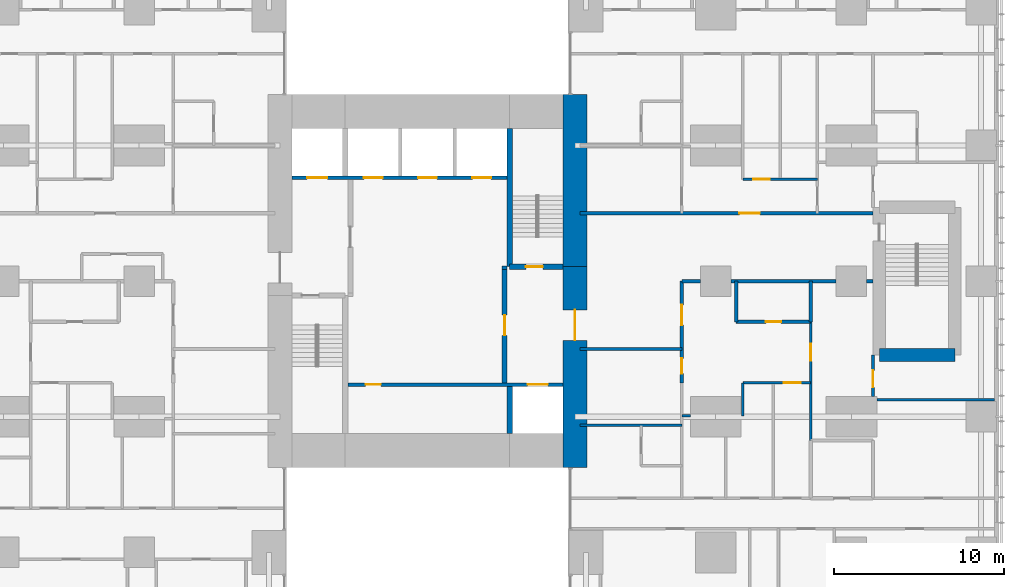
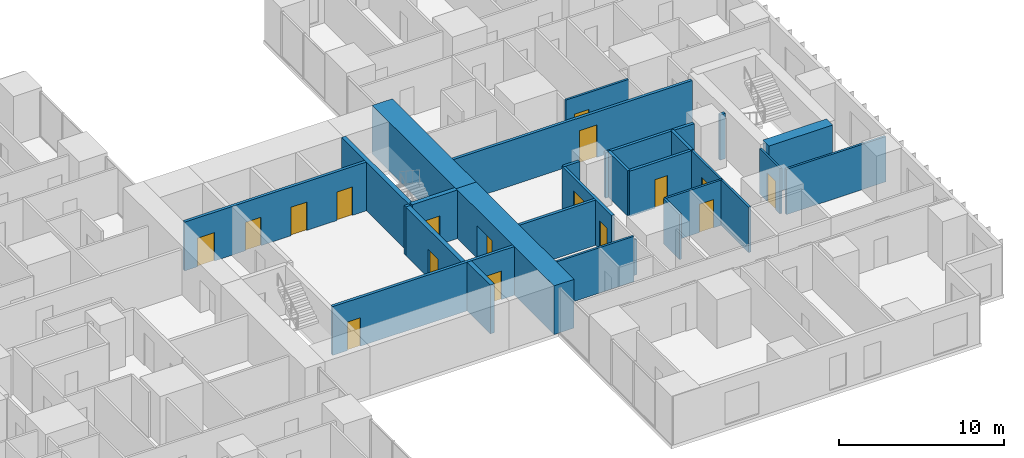
# One storey, part 15 of 20: 27 walls, 17 doors, 17 openings.
"""IFC4 building model written with IfcOpenShell, lengths in metres."""

from ifc_helpers import new_model, si_unit, direction, frame, frame_2d, origin, place, context, subcontext, project, spatial, rectangle, extrude, material, layer, layer_set, type_object, element, fill, save


model = new_model("IFC4")

# Units and contexts
model_context = context("Model", 3, precision=1e-05, world=origin(), true_north=direction((0.0, 1.0)))
body_context = subcontext(model_context, "Body", "Model", "MODEL_VIEW")
ifc_project = project(units=[si_unit("LENGTHUNIT", "METRE"), si_unit("AREAUNIT", "SQUARE_METRE"), si_unit("VOLUMEUNIT", "CUBIC_METRE"), si_unit("PLANEANGLEUNIT", "RADIAN"), si_unit("MASSUNIT", "GRAM", prefix="KILO")], contexts=[model_context])

# Site, building, storey
site_placement = place(None, origin())
site = spatial("IfcSite", under=ifc_project, at=site_placement, CompositionType="ELEMENT")
building_placement = place(site_placement, origin())
building = spatial("IfcBuilding", under=site, at=building_placement, Name="Cleftline Residences", CompositionType="ELEMENT")
storey_placement = place(building_placement, frame((0.0, 0.0, 189.39990234375)))
storey = spatial("IfcBuildingStorey", under=building, at=storey_placement, Name="L49", CompositionType="ELEMENT", Elevation=189.39990234375)

# Wall, opening, door
ifc_material_1 = material(Name="Concrete B70", Category="concrete")
ifc_layer_1 = layer(ifc_material_1, 1.39990234375)
ifc_layer_set_1 = layer_set([ifc_layer_1], Name="CORE WALL 1400")
wall_type_1 = type_object("IfcWallType", Name="CORE WALL 1400", PredefinedType="SHEAR", material=ifc_layer_set_1)
wall_1_placement = place(storey_placement, frame((41.699951171875, 13.0, 0.0), z_axis=(0.0, 0.0, 1.0), x_axis=(0.0, 1.0, 0.0)))
wall_1 = element("IfcWall", 1, at=wall_1_placement, inside=storey, type_object=wall_type_1, Name="Core wall E", PredefinedType="SHEAR", context=body_context, shape_type="SweptSolid", body=[
    extrude(rectangle(XDim=11.85009765625, YDim=1.39990234375, at=frame_2d((5.925048828125, 0.0))), origin(), (0.0, 0.0, 1.0), 3.60009765625),
])
opening_1_placement = place(wall_1_placement, frame((7.5, 0.0, 0.0)))
opening_1 = element("IfcOpeningElement", 2, at=opening_1_placement, cuts=wall_1, Name="Opening D7", PredefinedType="OPENING", context=body_context, shape_type="SweptSolid", body=[
    extrude(rectangle(XDim=1.800048828125, YDim=2.39990234375, at=frame_2d((0.89990234375, 1.199951171875))), frame((0.0, 0.7099609375, 0.0), z_axis=(0.0, -1.0, 0.0), x_axis=(1.0, 0.0, 0.0)), (0.0, 0.0, 1.0), 1.419921875),
])
ifc_material_2 = material(Name="Steel", Category="steel")
door_type_1 = type_object("IfcDoorType", Name="WING DOOR 1800X2400", OperationType="DOUBLE_DOOR_DOUBLE_SWING", PredefinedType="DOOR", material=ifc_material_2)
door_1_placement = place(opening_1_placement, origin())
door_1 = element("IfcDoor", 3, at=door_1_placement, inside=storey, type_object=door_type_1, Name="East wing door", OperationType="DOUBLE_DOOR_DOUBLE_SWING", OverallHeight=2.39990234375, OverallWidth=1.800048828125, PredefinedType="DOOR", context=body_context, shape_type="SweptSolid", body=[
    extrude(rectangle(XDim=1.800048828125, YDim=2.39990234375, at=frame_2d((0.89990234375, 1.199951171875))), frame((0.0, 0.02490234375, 0.0), z_axis=(0.0, -1.0, 0.0), x_axis=(1.0, 0.0, 0.0)), (0.0, 0.0, 1.0), 0.050048828125),
])
fill(opening_1, door_1)

# Walls
wall_2_placement = place(storey_placement, frame((41.699951171875, 24.85009765625, 0.0), z_axis=(0.0, 0.0, 1.0), x_axis=(0.0, 1.0, 0.0)))
element("IfcWall", 4, at=wall_2_placement, inside=storey, type_object=wall_type_1, Name="Core wall E1", PredefinedType="SHEAR", context=body_context, shape_type="SweptSolid", body=[
    extrude(rectangle(XDim=10.14990234375, YDim=1.39990234375, at=frame_2d((5.074951171875, 0.0))), origin(), (0.0, 0.0, 1.0), 3.60009765625),
])
ifc_material_3 = material(Name="Concrete B70", Category="concrete")
ifc_layer_2 = layer(ifc_material_3, 0.300048828125)
ifc_layer_set_2 = layer_set([ifc_layer_2], Name="CORE WALL 300")
wall_type_2 = type_object("IfcWallType", Name="CORE WALL 300", PredefinedType="SHEAR", material=ifc_layer_set_2)
wall_3_placement = place(storey_placement, frame((37.85009765625, 24.85009765625, 0.0), z_axis=(0.0, 0.0, 1.0), x_axis=(0.0, 1.0, 0.0)))
element("IfcWall", 5, at=wall_3_placement, inside=storey, type_object=wall_type_2, Name="Core wall SB-W", PredefinedType="SHEAR", context=body_context, shape_type="SweptSolid", body=[
    extrude(rectangle(XDim=8.14990234375, YDim=0.300048828125, at=frame_2d((4.074951171875, 0.0))), origin(), (0.0, 0.0, 1.0), 3.60009765625),
])

# Wall, opening, door
wall_4_placement = place(storey_placement, frame((37.85009765625, 24.85009765625, 0.0), z_axis=(0.0, 0.0, 1.0), x_axis=(1.0, 0.0, 0.0)))
wall_4 = element("IfcWall", 6, at=wall_4_placement, inside=storey, type_object=wall_type_2, Name="Core wall SB-S", PredefinedType="SHEAR", context=body_context, shape_type="SweptSolid", body=[
    extrude(rectangle(XDim=3.14990234375, YDim=0.300048828125, at=frame_2d((1.574951171875, 0.0))), origin(), (0.0, 0.0, 1.0), 3.60009765625),
])
opening_2_placement = place(wall_4_placement, frame((0.949951171875, 0.0, 0.0)))
opening_2 = element("IfcOpeningElement", 7, at=opening_2_placement, cuts=wall_4, Name="Opening D5", PredefinedType="OPENING", context=body_context, shape_type="SweptSolid", body=[
    extrude(rectangle(XDim=1.0, YDim=2.10009765625, at=frame_2d((0.5, 1.050048828125))), frame((0.0, 0.159912109375, 0.0), z_axis=(0.0, -1.0, 0.0), x_axis=(1.0, 0.0, 0.0)), (0.0, 0.0, 1.0), 0.320068359375),
])
ifc_material_4 = material(Name="Steel", Category="steel")
door_type_2 = type_object("IfcDoorType", Name="STAIR DOOR 1000X2100", OperationType="SINGLE_SWING_LEFT", PredefinedType="DOOR", material=ifc_material_4)
door_2_placement = place(opening_2_placement, origin())
door_2 = element("IfcDoor", 8, at=door_2_placement, inside=storey, type_object=door_type_2, Name="Stair B door", OperationType="SINGLE_SWING_RIGHT", OverallHeight=2.10009765625, OverallWidth=1.0, PredefinedType="DOOR", context=body_context, shape_type="SweptSolid", body=[
    extrude(rectangle(XDim=1.0, YDim=2.10009765625, at=frame_2d((0.5, 1.050048828125))), frame((0.0, 0.02490234375, 0.0), z_axis=(0.0, -1.0, 0.0), x_axis=(1.0, 0.0, 0.0)), (0.0, 0.0, 1.0), 0.050048828125),
])
fill(opening_2, door_2)

# Walls
wall_5_placement = place(storey_placement, frame((37.85009765625, 15.0, 0.0), z_axis=(0.0, 0.0, 1.0), x_axis=(0.0, 1.0, 0.0)))
element("IfcWall", 9, at=wall_5_placement, inside=storey, type_object=wall_type_2, Name="Lift shaft wall", PredefinedType="SHEAR", context=body_context, shape_type="SweptSolid", body=[
    extrude(rectangle(XDim=2.800048828125, YDim=0.300048828125, at=frame_2d((1.39990234375, 0.0))), origin(), (0.0, 0.0, 1.0), 3.60009765625),
])
ifc_material_5 = material(Name="Concrete blockwork, fire rated", Category="masonry")
ifc_layer_3 = layer(ifc_material_5, 0.199951171875)
ifc_layer_set_3 = layer_set([ifc_layer_3], Name="FIRE WALL 200")
wall_type_3 = type_object("IfcWallType", Name="FIRE WALL 200", PredefinedType="PARTITIONING", material=ifc_layer_set_3)
wall_6_placement = place(storey_placement, frame((42.0, 20.0, 0.0), z_axis=(0.0, 0.0, 1.0), x_axis=(1.0, 0.0, 0.0)))
element("IfcWall", 10, at=wall_6_placement, inside=storey, type_object=wall_type_3, Name="Fire separating wall", PredefinedType="PARTITIONING", context=body_context, shape_type="SweptSolid", body=[
    extrude(rectangle(XDim=6.0, YDim=0.199951171875, at=frame_2d((3.0, 0.0))), origin(), (0.0, 0.0, 1.0), 3.35009765625),
])

# Wall, opening, door
wall_7_placement = place(storey_placement, frame((51.199951171875, 21.60009765625, 0.0), z_axis=(0.0, 0.0, 1.0), x_axis=(1.0, 0.0, 0.0)))
wall_7 = element("IfcWall", 11, at=wall_7_placement, inside=storey, type_object=wall_type_3, Name="Fire separating wall", PredefinedType="PARTITIONING", context=body_context, shape_type="SweptSolid", body=[
    extrude(rectangle(XDim=4.400146484375, YDim=0.199951171875, at=frame_2d((2.2001953125, 0.0))), origin(), (0.0, 0.0, 1.0), 3.35009765625),
])
opening_3_placement = place(wall_7_placement, frame((1.75, 0.0, 0.0)))
opening_3 = element("IfcOpeningElement", 12, at=opening_3_placement, cuts=wall_7, Name="Opening D1F30", PredefinedType="OPENING", context=body_context, shape_type="SweptSolid", body=[
    extrude(rectangle(XDim=0.89990234375, YDim=2.10009765625, at=frame_2d((0.449951171875, 1.050048828125))), frame((0.0, 0.10986328125, 0.0), z_axis=(0.0, -1.0, 0.0), x_axis=(1.0, 0.0, 0.0)), (0.0, 0.0, 1.0), 0.219970703125),
])
ifc_material_6 = material(Name="Timber veneer on solid core", Category="wood")
door_type_3 = type_object("IfcDoorType", Name="DOOR 900X2100 EI 30", OperationType="SINGLE_SWING_LEFT", PredefinedType="DOOR", material=ifc_material_6)
door_3_placement = place(opening_3_placement, origin())
door_3 = element("IfcDoor", 13, at=door_3_placement, inside=storey, type_object=door_type_3, Name="Door to cloakroom wc", OperationType="SINGLE_SWING_LEFT", OverallHeight=2.10009765625, OverallWidth=0.89990234375, PredefinedType="DOOR", context=body_context, shape_type="SweptSolid", body=[
    extrude(rectangle(XDim=0.89990234375, YDim=2.10009765625, at=frame_2d((0.449951171875, 1.050048828125))), frame((0.0, 0.02490234375, 0.0), z_axis=(0.0, -1.0, 0.0), x_axis=(1.0, 0.0, 0.0)), (0.0, 0.0, 1.0), 0.050048828125),
])
fill(opening_3, door_3)

# Walls
wall_8_placement = place(storey_placement, frame((48.0, 24.0, 0.0), z_axis=(0.0, 0.0, 1.0), x_axis=(1.0, 0.0, 0.0)))
element("IfcWall", 14, at=wall_8_placement, inside=storey, type_object=wall_type_3, Name="Fire separating wall", PredefinedType="PARTITIONING", context=body_context, shape_type="SweptSolid", body=[
    extrude(rectangle(XDim=1.10009765625, YDim=0.199951171875, at=frame_2d((0.550048828125, 0.0))), origin(), (0.0, 0.0, 1.0), 3.35009765625),
])
wall_9_placement = place(storey_placement, frame((50.89990234375, 24.0, 0.0), z_axis=(0.0, 0.0, 1.0), x_axis=(1.0, 0.0, 0.0)))
element("IfcWall", 15, at=wall_9_placement, inside=storey, type_object=wall_type_3, Name="Fire separating wall", PredefinedType="PARTITIONING", context=body_context, shape_type="SweptSolid", body=[
    extrude(rectangle(XDim=6.2001953125, YDim=0.199951171875, at=frame_2d((3.10009765625, 0.0))), origin(), (0.0, 0.0, 1.0), 3.35009765625),
])
wall_10_placement = place(storey_placement, frame((58.89990234375, 24.0, 0.0), z_axis=(0.0, 0.0, 1.0), x_axis=(1.0, 0.0, 0.0)))
element("IfcWall", 16, at=wall_10_placement, inside=storey, type_object=wall_type_3, Name="Fire separating wall", PredefinedType="PARTITIONING", context=body_context, shape_type="SweptSolid", body=[
    extrude(rectangle(XDim=0.375, YDim=0.199951171875, at=frame_2d((0.1875, 0.0))), origin(), (0.0, 0.0, 1.0), 3.35009765625),
])

# Wall, opening, door
wall_11_placement = place(storey_placement, frame((42.0, 28.0, 0.0), z_axis=(0.0, 0.0, 1.0), x_axis=(1.0, 0.0, 0.0)))
wall_11 = element("IfcWall", 17, at=wall_11_placement, inside=storey, type_object=wall_type_3, Name="Fire separating wall", PredefinedType="PARTITIONING", context=body_context, shape_type="SweptSolid", body=[
    extrude(rectangle(XDim=17.27490234375, YDim=0.199951171875, at=frame_2d((8.637451171875, 0.0))), origin(), (0.0, 0.0, 1.0), 3.35009765625),
])
opening_4_placement = place(wall_11_placement, frame((9.39990234375, 0.0, 0.0)))
opening_4 = element("IfcOpeningElement", 18, at=opening_4_placement, cuts=wall_11, Name="Opening D4", PredefinedType="OPENING", context=body_context, shape_type="SweptSolid", body=[
    extrude(rectangle(XDim=1.199951171875, YDim=2.39990234375, at=frame_2d((0.60009765625, 1.199951171875))), frame((0.0, 0.10986328125, 0.0), z_axis=(0.0, -1.0, 0.0), x_axis=(1.0, 0.0, 0.0)), (0.0, 0.0, 1.0), 0.219970703125),
])
ifc_material_7 = material(Name="Timber veneer on solid core", Category="wood")
door_type_4 = type_object("IfcDoorType", Name="APARTMENT ENTRANCE DOOR 1200X2400", OperationType="SINGLE_SWING_RIGHT", PredefinedType="DOOR", material=ifc_material_7)
door_4_placement = place(opening_4_placement, origin())
door_4 = element("IfcDoor", 19, at=door_4_placement, inside=storey, type_object=door_type_4, Name="Door to residence entrance (gallery)", OperationType="SINGLE_SWING_LEFT", OverallHeight=2.39990234375, OverallWidth=1.199951171875, PredefinedType="DOOR", context=body_context, shape_type="SweptSolid", body=[
    extrude(rectangle(XDim=1.199951171875, YDim=2.39990234375, at=frame_2d((0.60009765625, 1.199951171875))), frame((0.0, 0.02490234375, 0.0), z_axis=(0.0, -1.0, 0.0), x_axis=(1.0, 0.0, 0.0)), (0.0, 0.0, 1.0), 0.050048828125),
])
fill(opening_4, door_4)

# Wall, openings, doors
wall_12_placement = place(storey_placement, frame((48.0, 18.0, 0.0), z_axis=(0.0, 0.0, 1.0), x_axis=(0.0, 1.0, 0.0)))
wall_12 = element("IfcWall", 20, at=wall_12_placement, inside=storey, type_object=wall_type_3, Name="Fire separating wall", PredefinedType="PARTITIONING", context=body_context, shape_type="SweptSolid", body=[
    extrude(rectangle(XDim=6.0, YDim=0.199951171875, at=frame_2d((3.0, 0.0))), origin(), (0.0, 0.0, 1.0), 3.35009765625),
])
opening_5_placement = place(wall_12_placement, frame((3.39990234375, 0.0, 0.0)))
opening_5 = element("IfcOpeningElement", 21, at=opening_5_placement, cuts=wall_12, Name="Opening D4", PredefinedType="OPENING", context=body_context, shape_type="SweptSolid", body=[
    extrude(rectangle(XDim=1.199951171875, YDim=2.39990234375, at=frame_2d((0.60009765625, 1.199951171875))), frame((0.0, 0.10986328125, 0.0), z_axis=(0.0, -1.0, 0.0), x_axis=(1.0, 0.0, 0.0)), (0.0, 0.0, 1.0), 0.219970703125),
])
opening_6_placement = place(wall_12_placement, frame((0.550048828125, 0.0, 0.0)))
opening_6 = element("IfcOpeningElement", 22, at=opening_6_placement, cuts=wall_12, Name="Opening D1F30", PredefinedType="OPENING", context=body_context, shape_type="SweptSolid", body=[
    extrude(rectangle(XDim=0.89990234375, YDim=2.10009765625, at=frame_2d((0.449951171875, 1.050048828125))), frame((0.0, 0.10986328125, 0.0), z_axis=(0.0, -1.0, 0.0), x_axis=(1.0, 0.0, 0.0)), (0.0, 0.0, 1.0), 0.219970703125),
])
door_5_placement = place(opening_5_placement, origin())
door_5 = element("IfcDoor", 23, at=door_5_placement, inside=storey, type_object=door_type_4, Name="Door to residence entrance foyer", OperationType="SINGLE_SWING_LEFT", OverallHeight=2.39990234375, OverallWidth=1.199951171875, PredefinedType="DOOR", context=body_context, shape_type="SweptSolid", body=[
    extrude(rectangle(XDim=1.199951171875, YDim=2.39990234375, at=frame_2d((0.60009765625, 1.199951171875))), frame((0.0, 0.02490234375, 0.0), z_axis=(0.0, -1.0, 0.0), x_axis=(1.0, 0.0, 0.0)), (0.0, 0.0, 1.0), 0.050048828125),
])
fill(opening_5, door_5)
door_6_placement = place(opening_6_placement, origin())
door_6 = element("IfcDoor", 24, at=door_6_placement, inside=storey, type_object=door_type_3, Name="Door to drying loggia", OperationType="SINGLE_SWING_RIGHT", OverallHeight=2.10009765625, OverallWidth=0.89990234375, PredefinedType="DOOR", context=body_context, shape_type="SweptSolid", body=[
    extrude(rectangle(XDim=0.89990234375, YDim=2.10009765625, at=frame_2d((0.449951171875, 1.050048828125))), frame((0.0, 0.02490234375, 0.0), z_axis=(0.0, -1.0, 0.0), x_axis=(1.0, 0.0, 0.0)), (0.0, 0.0, 1.0), 0.050048828125),
])
fill(opening_6, door_6)

# Walls
for number, where, z_axis, x_axis, name in (
    (25, (51.199951171875, 21.60009765625, 0.0), (0.0, 0.0, 1.0), (0.0, 1.0, 0.0), "Fire separating wall"),
    (26, (55.60009765625, 21.60009765625, 0.0), (0.0, 0.0, 1.0), (0.0, 1.0, 0.0), "Fire separating wall"),
):
    element("IfcWall", number, at=place(storey_placement, frame(where, z_axis=z_axis, x_axis=x_axis)), inside=storey, type_object=wall_type_3, Name=name, PredefinedType="PARTITIONING", context=body_context, shape_type="SweptSolid", body=[
        extrude(rectangle(XDim=2.39990234375, YDim=0.199951171875, at=frame_2d((1.199951171875, 0.0))), origin(), (0.0, 0.0, 1.0), 3.35009765625),
    ])
wall_13_placement = place(storey_placement, frame((37.39990234375, 24.800048828125, 0.0), z_axis=(0.0, 0.0, 1.0), x_axis=(1.0, 0.0, 0.0)))
element("IfcWall", 27, at=wall_13_placement, inside=storey, type_object=wall_type_3, Name="Fire separating wall", PredefinedType="PARTITIONING", context=body_context, shape_type="SweptSolid", body=[
    extrude(rectangle(XDim=0.300048828125, YDim=0.199951171875, at=frame_2d((0.14990234375, 0.0))), origin(), (0.0, 0.0, 1.0), 3.60009765625),
])
ifc_material_8 = material(Name="Gypsum board on steel studs", Category="steel")
ifc_layer_4 = layer(ifc_material_8, 0.14990234375)
ifc_layer_set_4 = layer_set([ifc_layer_4], Name="PARTITION 150")
wall_type_4 = type_object("IfcWallType", Name="PARTITION 150", PredefinedType="PARTITIONING", material=ifc_layer_set_4)
wall_14_placement = place(storey_placement, frame((42.0, 15.5, 0.0), z_axis=(0.0, 0.0, 1.0), x_axis=(1.0, 0.0, 0.0)))
element("IfcWall", 28, at=wall_14_placement, inside=storey, type_object=wall_type_4, Name="Partition", PredefinedType="PARTITIONING", context=body_context, shape_type="SweptSolid", body=[
    extrude(rectangle(XDim=6.0, YDim=0.14990234375, at=frame_2d((3.0, 0.0))), origin(), (0.0, 0.0, 1.0), 3.35009765625),
])
wall_15_placement = place(storey_placement, frame((48.0, 16.050048828125, 0.0), z_axis=(0.0, 0.0, 1.0), x_axis=(1.0, 0.0, 0.0)))
element("IfcWall", 29, at=wall_15_placement, inside=storey, type_object=wall_type_4, Name="Partition", PredefinedType="PARTITIONING", context=body_context, shape_type="SweptSolid", body=[
    extrude(rectangle(XDim=0.5, YDim=0.14990234375, at=frame_2d((0.25, 0.0))), origin(), (0.0, 0.0, 1.0), 2.634033203125),
])
wall_16_placement = place(storey_placement, frame((59.5, 17.0, 0.0), z_axis=(0.0, 0.0, 1.0), x_axis=(1.0, 0.0, 0.0)))
element("IfcWall", 30, at=wall_16_placement, inside=storey, type_object=wall_type_4, Name="Partition", PredefinedType="PARTITIONING", context=body_context, shape_type="SweptSolid", body=[
    extrude(rectangle(XDim=6.949951171875, YDim=0.14990234375, at=frame_2d((3.47509765625, 0.0))), origin(), (0.0, 0.0, 1.0), 3.35009765625),
])

# Wall, opening, door
wall_17_placement = place(storey_placement, frame((51.60009765625, 18.0, 0.0), z_axis=(0.0, 0.0, 1.0), x_axis=(1.0, 0.0, 0.0)))
wall_17 = element("IfcWall", 31, at=wall_17_placement, inside=storey, type_object=wall_type_4, Name="Partition", PredefinedType="PARTITIONING", context=body_context, shape_type="SweptSolid", body=[
    extrude(rectangle(XDim=4.0, YDim=0.14990234375, at=frame_2d((2.0, 0.0))), origin(), (0.0, 0.0, 1.0), 3.35009765625),
])
opening_7_placement = place(wall_17_placement, frame((2.39990234375, 0.0, 0.0)))
opening_7 = element("IfcOpeningElement", 32, at=opening_7_placement, cuts=wall_17, Name="Opening D2", PredefinedType="OPENING", context=body_context, shape_type="SweptSolid", body=[
    extrude(rectangle(XDim=1.0, YDim=2.10009765625, at=frame_2d((0.5, 1.050048828125))), frame((0.0, 0.0849609375, 0.0), z_axis=(0.0, -1.0, 0.0), x_axis=(1.0, 0.0, 0.0)), (0.0, 0.0, 1.0), 0.169921875),
])
ifc_material_9 = material(Name="Timber veneer on solid core", Category="wood")
door_type_5 = type_object("IfcDoorType", Name="DOOR 1000X2100", OperationType="SINGLE_SWING_LEFT", PredefinedType="DOOR", material=ifc_material_9)
door_7_placement = place(opening_7_placement, origin())
door_7 = element("IfcDoor", 33, at=door_7_placement, inside=storey, type_object=door_type_5, Name="Door to residence passage", OperationType="SINGLE_SWING_LEFT", OverallHeight=2.10009765625, OverallWidth=1.0, PredefinedType="DOOR", context=body_context, shape_type="SweptSolid", body=[
    extrude(rectangle(XDim=1.0, YDim=2.10009765625, at=frame_2d((0.5, 1.050048828125))), frame((0.0, 0.02490234375, 0.0), z_axis=(0.0, -1.0, 0.0), x_axis=(1.0, 0.0, 0.0)), (0.0, 0.0, 1.0), 0.050048828125),
])
fill(opening_7, door_7)

wall_18_placement = place(storey_placement, frame((51.60009765625, 30.0, 0.0), z_axis=(0.0, 0.0, 1.0), x_axis=(1.0, 0.0, 0.0)))
wall_18 = element("IfcWall", 34, at=wall_18_placement, inside=storey, type_object=wall_type_4, Name="Partition", PredefinedType="PARTITIONING", context=body_context, shape_type="SweptSolid", body=[
    extrude(rectangle(XDim=4.39990234375, YDim=0.14990234375, at=frame_2d((2.199951171875, 0.0))), origin(), (0.0, 0.0, 1.0), 3.35009765625),
])
opening_8_placement = place(wall_18_placement, frame((0.60009765625, 0.0, 0.0)))
opening_8 = element("IfcOpeningElement", 35, at=opening_8_placement, cuts=wall_18, Name="Opening D2", PredefinedType="OPENING", context=body_context, shape_type="SweptSolid", body=[
    extrude(rectangle(XDim=1.0, YDim=2.10009765625, at=frame_2d((0.5, 1.050048828125))), frame((0.0, 0.0849609375, 0.0), z_axis=(0.0, -1.0, 0.0), x_axis=(1.0, 0.0, 0.0)), (0.0, 0.0, 1.0), 0.169921875),
])
door_8_placement = place(opening_8_placement, origin())
door_8 = element("IfcDoor", 36, at=door_8_placement, inside=storey, type_object=door_type_5, Name="Door to residence passage", OperationType="SINGLE_SWING_RIGHT", OverallHeight=2.10009765625, OverallWidth=1.0, PredefinedType="DOOR", context=body_context, shape_type="SweptSolid", body=[
    extrude(rectangle(XDim=1.0, YDim=2.10009765625, at=frame_2d((0.5, 1.050048828125))), frame((0.0, 0.02490234375, 0.0), z_axis=(0.0, -1.0, 0.0), x_axis=(1.0, 0.0, 0.0)), (0.0, 0.0, 1.0), 0.050048828125),
])
fill(opening_8, door_8)

# Wall
wall_19_placement = place(storey_placement, frame((51.60009765625, 16.050048828125, 0.0), z_axis=(0.0, 0.0, 1.0), x_axis=(0.0, 1.0, 0.0)))
element("IfcWall", 37, at=wall_19_placement, inside=storey, type_object=wall_type_4, Name="Partition", PredefinedType="PARTITIONING", context=body_context, shape_type="SweptSolid", body=[
    extrude(rectangle(XDim=1.949951171875, YDim=0.14990234375, at=frame_2d((0.97509765625, 0.0))), origin(), (0.0, 0.0, 1.0), 3.35009765625),
])

# Wall, opening, door
wall_20_placement = place(storey_placement, frame((55.60009765625, 14.60009765625, 0.0), z_axis=(0.0, 0.0, 1.0), x_axis=(0.0, 1.0, 0.0)))
wall_20 = element("IfcWall", 38, at=wall_20_placement, inside=storey, type_object=wall_type_4, Name="Partition", PredefinedType="PARTITIONING", context=body_context, shape_type="SweptSolid", body=[
    extrude(rectangle(XDim=7.0, YDim=0.14990234375, at=frame_2d((3.5, 0.0))), origin(), (0.0, 0.0, 1.0), 3.35009765625),
])
opening_9_placement = place(wall_20_placement, frame((4.699951171875, 0.0, 0.0)))
opening_9 = element("IfcOpeningElement", 39, at=opening_9_placement, cuts=wall_20, Name="Opening D2F30", PredefinedType="OPENING", context=body_context, shape_type="SweptSolid", body=[
    extrude(rectangle(XDim=1.0, YDim=2.10009765625, at=frame_2d((0.5, 1.050048828125))), frame((0.0, 0.0849609375, 0.0), z_axis=(0.0, -1.0, 0.0), x_axis=(1.0, 0.0, 0.0)), (0.0, 0.0, 1.0), 0.169921875),
])
ifc_material_10 = material(Name="Timber veneer on solid core", Category="wood")
door_type_6 = type_object("IfcDoorType", Name="DOOR 1000X2100 EI 30", OperationType="SINGLE_SWING_LEFT", PredefinedType="DOOR", material=ifc_material_10)
door_9_placement = place(opening_9_placement, origin())
door_9 = element("IfcDoor", 40, at=door_9_placement, inside=storey, type_object=door_type_6, Name="Door to residence lobby", OperationType="SINGLE_SWING_LEFT", OverallHeight=2.10009765625, OverallWidth=1.0, PredefinedType="DOOR", context=body_context, shape_type="SweptSolid", body=[
    extrude(rectangle(XDim=1.0, YDim=2.10009765625, at=frame_2d((0.5, 1.050048828125))), frame((0.0, 0.02490234375, 0.0), z_axis=(0.0, -1.0, 0.0), x_axis=(1.0, 0.0, 0.0)), (0.0, 0.0, 1.0), 0.050048828125),
])
fill(opening_9, door_9)

wall_21_placement = place(storey_placement, frame((59.27490234375, 17.199951171875, 0.0), z_axis=(0.0, 0.0, 1.0), x_axis=(0.0, 1.0, 0.0)))
wall_21 = element("IfcWall", 41, at=wall_21_placement, inside=storey, type_object=wall_type_4, Name="Partition", PredefinedType="PARTITIONING", context=body_context, shape_type="SweptSolid", body=[
    extrude(rectangle(XDim=2.449951171875, YDim=0.14990234375, at=frame_2d((1.22509765625, 0.0))), origin(), (0.0, 0.0, 1.0), 3.35009765625),
])
opening_10_placement = place(wall_21_placement, frame((0.53759765625, 0.0, 0.0)))
opening_10 = element("IfcOpeningElement", 42, at=opening_10_placement, cuts=wall_21, Name="Opening D2", PredefinedType="OPENING", context=body_context, shape_type="SweptSolid", body=[
    extrude(rectangle(XDim=1.0, YDim=2.10009765625, at=frame_2d((0.5, 1.050048828125))), frame((0.0, 0.0849609375, 0.0), z_axis=(0.0, -1.0, 0.0), x_axis=(1.0, 0.0, 0.0)), (0.0, 0.0, 1.0), 0.169921875),
])
door_10_placement = place(opening_10_placement, origin())
door_10 = element("IfcDoor", 43, at=door_10_placement, inside=storey, type_object=door_type_5, Name="Door to altar room", OperationType="SINGLE_SWING_RIGHT", OverallHeight=2.10009765625, OverallWidth=1.0, PredefinedType="DOOR", context=body_context, shape_type="SweptSolid", body=[
    extrude(rectangle(XDim=1.0, YDim=2.10009765625, at=frame_2d((0.5, 1.050048828125))), frame((0.0, 0.02490234375, 0.0), z_axis=(0.0, -1.0, 0.0), x_axis=(1.0, 0.0, 0.0)), (0.0, 0.0, 1.0), 0.050048828125),
])
fill(opening_10, door_10)

# Wall, openings, doors
ifc_material_11 = material(Name="Concrete blockwork, fire rated", Category="masonry")
ifc_layer_5 = layer(ifc_material_11, 0.199951171875)
ifc_layer_set_5 = layer_set([ifc_layer_5], Name="SHAFT WALL 200")
wall_type_5 = type_object("IfcWallType", Name="SHAFT WALL 200", PredefinedType="PARTITIONING", material=ifc_layer_set_5)
wall_22_placement = place(storey_placement, frame((28.300048828125, 17.89990234375, 0.0), z_axis=(0.0, 0.0, 1.0), x_axis=(1.0, 0.0, 0.0)))
wall_22 = element("IfcWall", 44, at=wall_22_placement, inside=storey, type_object=wall_type_5, Name="Core room wall", PredefinedType="PARTITIONING", context=body_context, shape_type="SweptSolid", body=[
    extrude(rectangle(XDim=12.699951171875, YDim=0.199951171875, at=frame_2d((6.35009765625, 0.0))), origin(), (0.0, 0.0, 1.0), 3.60009765625),
])
opening_11_placement = place(wall_22_placement, frame((1.050048828125, 0.0, 0.0)))
opening_11 = element("IfcOpeningElement", 45, at=opening_11_placement, cuts=wall_22, Name="Opening D1F30", PredefinedType="OPENING", context=body_context, shape_type="SweptSolid", body=[
    extrude(rectangle(XDim=0.89990234375, YDim=2.10009765625, at=frame_2d((0.449951171875, 1.050048828125))), frame((0.0, 0.10986328125, 0.0), z_axis=(0.0, -1.0, 0.0), x_axis=(1.0, 0.0, 0.0)), (0.0, 0.0, 1.0), 0.219970703125),
])
opening_12_placement = place(wall_22_placement, frame((10.60009765625, 0.0, 0.0)))
opening_12 = element("IfcOpeningElement", 46, at=opening_12_placement, cuts=wall_22, Name="Opening LD2", PredefinedType="OPENING", context=body_context, shape_type="SweptSolid", body=[
    extrude(rectangle(XDim=1.199951171875, YDim=2.10009765625, at=frame_2d((0.60009765625, 1.050048828125))), frame((0.0, 0.10986328125, 0.0), z_axis=(0.0, -1.0, 0.0), x_axis=(1.0, 0.0, 0.0)), (0.0, 0.0, 1.0), 0.219970703125),
])
door_11_placement = place(opening_11_placement, origin())
door_11 = element("IfcDoor", 47, at=door_11_placement, inside=storey, type_object=door_type_3, Name="Door to housekeeping pantry", OperationType="SINGLE_SWING_RIGHT", OverallHeight=2.10009765625, OverallWidth=0.89990234375, PredefinedType="DOOR", context=body_context, shape_type="SweptSolid", body=[
    extrude(rectangle(XDim=0.89990234375, YDim=2.10009765625, at=frame_2d((0.449951171875, 1.050048828125))), frame((0.0, 0.02490234375, 0.0), z_axis=(0.0, -1.0, 0.0), x_axis=(1.0, 0.0, 0.0)), (0.0, 0.0, 1.0), 0.050048828125),
])
fill(opening_11, door_11)
ifc_material_12 = material(Name="Steel", Category="steel")
door_type_7 = type_object("IfcDoorType", Name="FIREFIGHTING LIFT LANDING DOOR 1200X2100", OperationType="SLIDING_TO_LEFT", PredefinedType="DOOR", material=ifc_material_12)
door_12_placement = place(opening_12_placement, origin())
door_12 = element("IfcDoor", 48, at=door_12_placement, inside=storey, type_object=door_type_7, Name="Lift FL2 landing door", OperationType="SLIDING_TO_LEFT", OverallHeight=2.10009765625, OverallWidth=1.199951171875, PredefinedType="DOOR", context=body_context, shape_type="SweptSolid", body=[
    extrude(rectangle(XDim=1.199951171875, YDim=2.10009765625, at=frame_2d((0.60009765625, 1.050048828125))), frame((0.0, 0.02490234375, 0.0), z_axis=(0.0, -1.0, 0.0), x_axis=(1.0, 0.0, 0.0)), (0.0, 0.0, 1.0), 0.050048828125),
])
fill(opening_12, door_12)

wall_23_placement = place(storey_placement, frame((25.0, 30.10009765625, 0.0), z_axis=(0.0, 0.0, 1.0), x_axis=(1.0, 0.0, 0.0)))
wall_23 = element("IfcWall", 49, at=wall_23_placement, inside=storey, type_object=wall_type_5, Name="Lift shaft wall", PredefinedType="PARTITIONING", context=body_context, shape_type="SweptSolid", body=[
    extrude(rectangle(XDim=12.699951171875, YDim=0.199951171875, at=frame_2d((6.35009765625, 0.0))), origin(), (0.0, 0.0, 1.0), 3.60009765625),
])
opening_13_placement = place(wall_23_placement, frame((4.25, 0.0, 0.0)))
opening_13 = element("IfcOpeningElement", 50, at=opening_13_placement, cuts=wall_23, Name="Opening LD1", PredefinedType="OPENING", context=body_context, shape_type="SweptSolid", body=[
    extrude(rectangle(XDim=1.10009765625, YDim=2.10009765625, at=frame_2d((0.550048828125, 1.050048828125))), frame((0.0, 0.10986328125, 0.0), z_axis=(0.0, -1.0, 0.0), x_axis=(1.0, 0.0, 0.0)), (0.0, 0.0, 1.0), 0.219970703125),
])
opening_14_placement = place(wall_23_placement, frame((7.449951171875, 0.0, 0.0)))
opening_14 = element("IfcOpeningElement", 51, at=opening_14_placement, cuts=wall_23, Name="Opening LD1", PredefinedType="OPENING", context=body_context, shape_type="SweptSolid", body=[
    extrude(rectangle(XDim=1.10009765625, YDim=2.10009765625, at=frame_2d((0.550048828125, 1.050048828125))), frame((0.0, 0.10986328125, 0.0), z_axis=(0.0, -1.0, 0.0), x_axis=(1.0, 0.0, 0.0)), (0.0, 0.0, 1.0), 0.219970703125),
])
opening_15_placement = place(wall_23_placement, frame((10.64990234375, 0.0, 0.0)))
opening_15 = element("IfcOpeningElement", 52, at=opening_15_placement, cuts=wall_23, Name="Opening LD1", PredefinedType="OPENING", context=body_context, shape_type="SweptSolid", body=[
    extrude(rectangle(XDim=1.10009765625, YDim=2.10009765625, at=frame_2d((0.550048828125, 1.050048828125))), frame((0.0, 0.10986328125, 0.0), z_axis=(0.0, -1.0, 0.0), x_axis=(1.0, 0.0, 0.0)), (0.0, 0.0, 1.0), 0.219970703125),
])
opening_16_placement = place(wall_23_placement, frame((0.89990234375, 0.0, 0.0)))
opening_16 = element("IfcOpeningElement", 53, at=opening_16_placement, cuts=wall_23, Name="Opening LD2", PredefinedType="OPENING", context=body_context, shape_type="SweptSolid", body=[
    extrude(rectangle(XDim=1.199951171875, YDim=2.10009765625, at=frame_2d((0.60009765625, 1.050048828125))), frame((0.0, 0.10986328125, 0.0), z_axis=(0.0, -1.0, 0.0), x_axis=(1.0, 0.0, 0.0)), (0.0, 0.0, 1.0), 0.219970703125),
])
door_13_placement = place(opening_16_placement, origin())
door_13 = element("IfcDoor", 54, at=door_13_placement, inside=storey, type_object=door_type_7, Name="Lift FL1 landing door", OperationType="SLIDING_TO_LEFT", OverallHeight=2.10009765625, OverallWidth=1.199951171875, PredefinedType="DOOR", context=body_context, shape_type="SweptSolid", body=[
    extrude(rectangle(XDim=1.199951171875, YDim=2.10009765625, at=frame_2d((0.60009765625, 1.050048828125))), frame((0.0, 0.02490234375, 0.0), z_axis=(0.0, -1.0, 0.0), x_axis=(1.0, 0.0, 0.0)), (0.0, 0.0, 1.0), 0.050048828125),
])
fill(opening_16, door_13)
ifc_material_13 = material(Name="Steel", Category="steel")
door_type_8 = type_object("IfcDoorType", Name="LIFT LANDING DOOR 1100X2100", OperationType="SLIDING_TO_LEFT", PredefinedType="DOOR", material=ifc_material_13)
door_14_placement = place(opening_13_placement, origin())
door_14 = element("IfcDoor", 55, at=door_14_placement, inside=storey, type_object=door_type_8, Name="Lift P4 landing door", OperationType="SLIDING_TO_LEFT", OverallHeight=2.10009765625, OverallWidth=1.10009765625, PredefinedType="DOOR", context=body_context, shape_type="SweptSolid", body=[
    extrude(rectangle(XDim=1.10009765625, YDim=2.10009765625, at=frame_2d((0.550048828125, 1.050048828125))), frame((0.0, 0.02490234375, 0.0), z_axis=(0.0, -1.0, 0.0), x_axis=(1.0, 0.0, 0.0)), (0.0, 0.0, 1.0), 0.050048828125),
])
fill(opening_13, door_14)
door_15_placement = place(opening_14_placement, origin())
door_15 = element("IfcDoor", 56, at=door_15_placement, inside=storey, type_object=door_type_8, Name="Lift P5 landing door", OperationType="SLIDING_TO_LEFT", OverallHeight=2.10009765625, OverallWidth=1.10009765625, PredefinedType="DOOR", context=body_context, shape_type="SweptSolid", body=[
    extrude(rectangle(XDim=1.10009765625, YDim=2.10009765625, at=frame_2d((0.550048828125, 1.050048828125))), frame((0.0, 0.02490234375, 0.0), z_axis=(0.0, -1.0, 0.0), x_axis=(1.0, 0.0, 0.0)), (0.0, 0.0, 1.0), 0.050048828125),
])
fill(opening_14, door_15)
door_16_placement = place(opening_15_placement, origin())
door_16 = element("IfcDoor", 57, at=door_16_placement, inside=storey, type_object=door_type_8, Name="Lift P6 landing door", OperationType="SLIDING_TO_LEFT", OverallHeight=2.10009765625, OverallWidth=1.10009765625, PredefinedType="DOOR", context=body_context, shape_type="SweptSolid", body=[
    extrude(rectangle(XDim=1.10009765625, YDim=2.10009765625, at=frame_2d((0.550048828125, 1.050048828125))), frame((0.0, 0.02490234375, 0.0), z_axis=(0.0, -1.0, 0.0), x_axis=(1.0, 0.0, 0.0)), (0.0, 0.0, 1.0), 0.050048828125),
])
fill(opening_15, door_16)

# Wall
ifc_material_14 = material(Name="Concrete B70", Category="concrete")
ifc_layer_6 = layer(ifc_material_14, 0.75)
ifc_layer_set_6 = layer_set([ifc_layer_6], Name="SHEAR WALL 750")
wall_type_6 = type_object("IfcWallType", Name="SHEAR WALL 750", PredefinedType="SHEAR", material=ifc_layer_set_6)
wall_24_placement = place(storey_placement, frame((59.64990234375, 19.64990234375, 0.0), z_axis=(0.0, 0.0, 1.0), x_axis=(1.0, 0.0, 0.0)))
element("IfcWall", 58, at=wall_24_placement, inside=storey, type_object=wall_type_6, Name="Wing shear wall", PredefinedType="SHEAR", context=body_context, shape_type="SweptSolid", body=[
    extrude(rectangle(XDim=4.4501953125, YDim=0.75, at=frame_2d((2.22509765625, 0.0))), origin(), (0.0, 0.0, 1.0), 3.60009765625),
])

# Wall, opening, door
ifc_material_15 = material(Name="Concrete blockwork, fire rated", Category="masonry")
ifc_layer_7 = layer(ifc_material_15, 0.300048828125)
ifc_layer_set_7 = layer_set([ifc_layer_7], Name="STAIR LOBBY WALL 300")
wall_type_7 = type_object("IfcWallType", Name="STAIR LOBBY WALL 300", PredefinedType="PARTITIONING", material=ifc_layer_set_7)
wall_25_placement = place(storey_placement, frame((37.550048828125, 18.0, 0.0), z_axis=(0.0, 0.0, 1.0), x_axis=(0.0, 1.0, 0.0)))
wall_25 = element("IfcWall", 59, at=wall_25_placement, inside=storey, type_object=wall_type_7, Name="Stair and lobby wall FB-W", PredefinedType="PARTITIONING", context=body_context, shape_type="SweptSolid", body=[
    extrude(rectangle(XDim=6.699951171875, YDim=0.300048828125, at=frame_2d((3.35009765625, 0.0))), origin(), (0.0, 0.0, 1.0), 3.60009765625),
])
opening_17_placement = place(wall_25_placement, frame((2.800048828125, 0.0, 0.0)))
opening_17 = element("IfcOpeningElement", 60, at=opening_17_placement, cuts=wall_25, Name="Opening D6", PredefinedType="OPENING", context=body_context, shape_type="SweptSolid", body=[
    extrude(rectangle(XDim=1.199951171875, YDim=2.10009765625, at=frame_2d((0.60009765625, 1.050048828125))), frame((0.0, 0.159912109375, 0.0), z_axis=(0.0, -1.0, 0.0), x_axis=(1.0, 0.0, 0.0)), (0.0, 0.0, 1.0), 0.320068359375),
])
ifc_material_16 = material(Name="Steel", Category="steel")
door_type_9 = type_object("IfcDoorType", Name="LOBBY DOOR 1200X2100", OperationType="SINGLE_SWING_RIGHT", PredefinedType="DOOR", material=ifc_material_16)
door_17_placement = place(opening_17_placement, origin())
door_17 = element("IfcDoor", 61, at=door_17_placement, inside=storey, type_object=door_type_9, Name="Firefighting lobby B door", OperationType="SINGLE_SWING_LEFT", OverallHeight=2.10009765625, OverallWidth=1.199951171875, PredefinedType="DOOR", context=body_context, shape_type="SweptSolid", body=[
    extrude(rectangle(XDim=1.199951171875, YDim=2.10009765625, at=frame_2d((0.60009765625, 1.050048828125))), frame((0.0, 0.02490234375, 0.0), z_axis=(0.0, -1.0, 0.0), x_axis=(1.0, 0.0, 0.0)), (0.0, 0.0, 1.0), 0.050048828125),
])
fill(opening_17, door_17)

save(model, "model.ifc")
